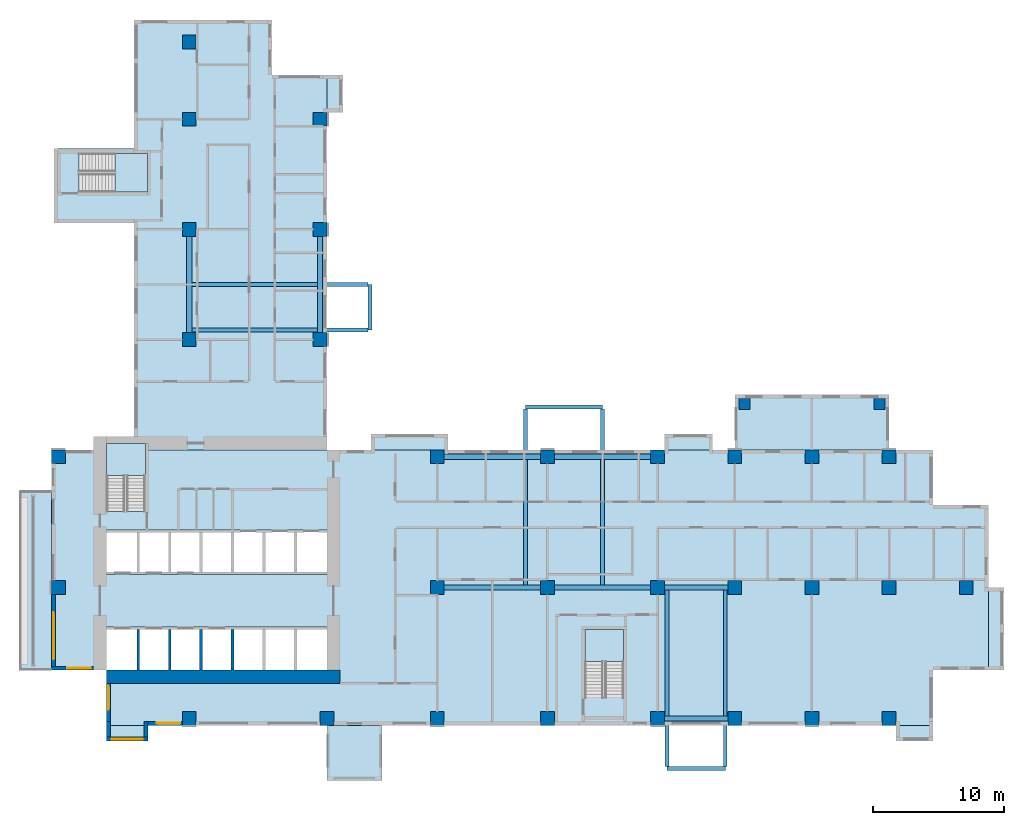
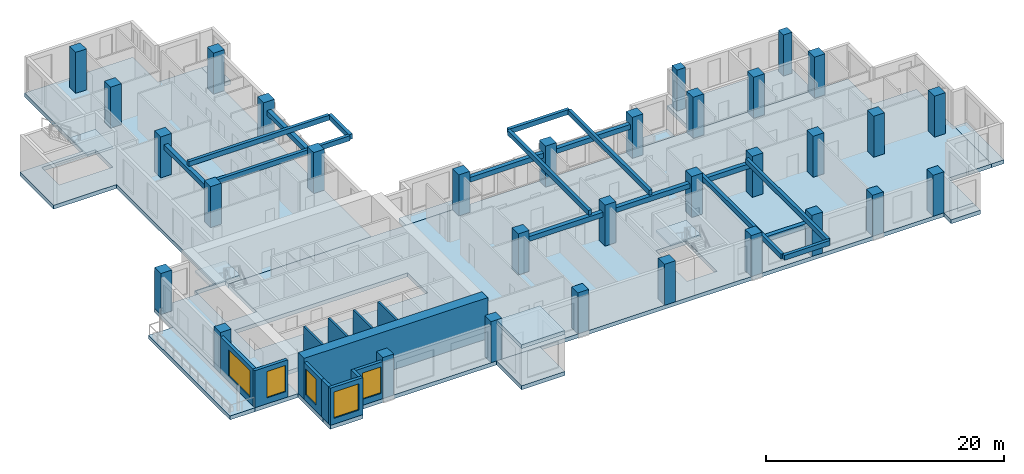
# One storey, part 1 of 14: 32 columns, 17 beams, 15 slabs, 12 walls, 5 windows, 5 openings, 3 elements without a shape of their own.
"""IFC4 building model written with IfcOpenShell, lengths in metres."""

import ifcopenshell
import ifcopenshell.guid

model = None  # the IFC model being written
_history = None  # IfcOwnerHistory: only IFC2X3 demands one
_inside = {}  # id of a spatial element -> (the spatial element, [elements in it])
_under = {}  # id of a project, library or spatial element -> (it, [spatial elements below it])
_declared = {}  # id of a project -> (the project, [libraries it declares])
_typed = {}  # id of a type object -> (the type object, [elements of that type])
_made_of = {}  # id of a material, layer set ... -> (it, [elements and type objects made of it])


def new_model(schema):
    """Start an empty IFC model of exactly this schema.

    Asked for "IFC4X3", IfcOpenShell would pick the latest addendum, in which some entities
    have other attributes; the version numbers below select the first issue.
    IFC2X3 requires an IfcOwnerHistory on every rooted entity: one is made here for all.
    """
    global model, _history
    if schema == "IFC4X3":
        model = ifcopenshell.file(schema_version=(4, 3, 0, 0))
    else:
        model = ifcopenshell.file(schema=schema)
    _inside.clear()
    _under.clear()
    _declared.clear()
    _typed.clear()
    _made_of.clear()
    _history = None
    if model.schema == "IFC2X3":
        org = make("IfcOrganization", Name="unknown")
        user = make(
            "IfcPersonAndOrganization",
            ThePerson=make("IfcPerson", FamilyName="unknown"),
            TheOrganization=org,
        )
        app = make(
            "IfcApplication",
            ApplicationDeveloper=org,
            Version="unknown",
            ApplicationFullName="unknown",
            ApplicationIdentifier="unknown",
        )
        _history = make(
            "IfcOwnerHistory",
            OwningUser=user,
            OwningApplication=app,
            ChangeAction="ADDED",
            CreationDate=0,
        )
    return model


def make(cls, **values):
    """One entity of the class cls with the attributes given. An attribute that is None is left unset."""
    return model.create_entity(
        cls, **{name: value for name, value in values.items() if value is not None}
    )


def rooted(cls, **values):
    """An entity with a GlobalId (a new one), such as an element, a storey or a relation."""
    return make(cls, GlobalId=ifcopenshell.guid.new(), OwnerHistory=_history, **values)


def si_unit(unit_type, name, prefix=None):
    """IfcSIUnit, for example si_unit("LENGTHUNIT", "METRE", prefix="MILLI")."""
    return make("IfcSIUnit", UnitType=unit_type, Prefix=prefix, Name=name)


def assignment(units):
    """IfcUnitAssignment: the units of a project."""
    return None if units is None else make("IfcUnitAssignment", Units=units)


def point(xyz):
    """IfcCartesianPoint."""
    return None if xyz is None else make("IfcCartesianPoint", Coordinates=xyz)


def direction(xyz):
    """IfcDirection."""
    return None if xyz is None else make("IfcDirection", DirectionRatios=xyz)


def frame(location, z_axis=None, x_axis=None):
    """IfcAxis2Placement3D, a coordinate frame: its origin and axes. An axis left out is left unset."""
    return make(
        "IfcAxis2Placement3D",
        Location=point(location),
        Axis=direction(z_axis),
        RefDirection=direction(x_axis),
    )


def frame_2d(location, x_axis=None):
    """IfcAxis2Placement2D, a coordinate frame in the plane: its origin and x axis."""
    return make(
        "IfcAxis2Placement2D", Location=point(location), RefDirection=direction(x_axis)
    )


def origin():
    """The frame at (0, 0, 0) with its axes left unset."""
    return frame((0.0, 0.0, 0.0))


def origin_2d():
    """The frame at (0, 0) in the plane with its x axis left unset."""
    return frame_2d((0.0, 0.0))


def place(relative_to, where):
    """IfcLocalPlacement: puts the frame where relative to a parent placement (None: the world)."""
    return make(
        "IfcLocalPlacement", PlacementRelTo=relative_to, RelativePlacement=where
    )


def context(
    kind, dimensions, precision=None, world=None, true_north=None, identifier=None
):
    """IfcGeometricRepresentationContext, for example the 3D "Model" context."""
    return make(
        "IfcGeometricRepresentationContext",
        ContextIdentifier=identifier,
        ContextType=kind,
        CoordinateSpaceDimension=dimensions,
        Precision=precision,
        WorldCoordinateSystem=world,
        TrueNorth=true_north,
    )


def subcontext(parent, identifier, kind, view, scale=None):
    """IfcGeometricRepresentationSubContext, for example "Body" below "Model"."""
    return make(
        "IfcGeometricRepresentationSubContext",
        ContextIdentifier=identifier,
        ContextType=kind,
        ParentContext=parent,
        TargetScale=scale,
        TargetView=view,
    )


def project(units=None, contexts=None):
    """IfcProject with its units and contexts."""
    return rooted(
        "IfcProject",
        Name="project",
        RepresentationContexts=contexts,
        UnitsInContext=assignment(units),
    )


def spatial(cls, under=None, at=None, **own):
    """A site, building, storey or space (cls), placed at a placement, below another one or the project."""
    s = rooted(cls, ObjectPlacement=at, **own)
    if under is not None:
        _under.setdefault(under.id(), (under, []))[1].append(s)
    return s


def polyline(points):
    """IfcPolyline through the points."""
    return make("IfcPolyline", Points=[point(p) for p in points])


def profile(cls, at=None, kind="AREA", **sizes):
    """A parametric profile (cls). Its sizes go by their IFC names, for example OverallWidth=200.0."""
    return make(cls, ProfileType=kind, Position=at, **sizes)


def rectangle(**sizes):
    """IfcRectangleProfileDef."""
    return profile("IfcRectangleProfileDef", **sizes)


def outline(outer, holes=None, kind="AREA"):
    """IfcArbitraryClosedProfileDef: a profile drawn as a closed curve; with holes, ...WithVoids."""
    if holes is None:
        return make("IfcArbitraryClosedProfileDef", ProfileType=kind, OuterCurve=outer)
    return make(
        "IfcArbitraryProfileDefWithVoids",
        ProfileType=kind,
        OuterCurve=outer,
        InnerCurves=holes,
    )


def extrude(swept, where, along, depth):
    """IfcExtrudedAreaSolid: the profile swept, set in the frame where, extruded along a direction by depth."""
    return make(
        "IfcExtrudedAreaSolid",
        SweptArea=swept,
        Position=where,
        ExtrudedDirection=direction(along),
        Depth=depth,
    )


def shape(context_of_items, identifier, shape_type, items):
    """IfcShapeRepresentation: the items that make up one representation, for example the "Body"."""
    return make(
        "IfcShapeRepresentation",
        ContextOfItems=context_of_items,
        RepresentationIdentifier=identifier,
        RepresentationType=shape_type,
        Items=items,
    )


def source(mapping_origin, context_of_items, identifier, shape_type, items):
    """IfcRepresentationMap: a shape defined once, which mapped items show again and again."""
    return make(
        "IfcRepresentationMap",
        MappingOrigin=mapping_origin,
        MappedRepresentation=shape(context_of_items, identifier, shape_type, items),
    )


def transform(
    local_origin,
    x_axis=None,
    y_axis=None,
    z_axis=None,
    scale=None,
    scale2=None,
    scale3=None,
    uniform=True,
):
    """IfcCartesianTransformationOperator3D, or its non-uniform kind. x_axis, y_axis, z_axis: its Axis1, 2, 3."""
    if uniform:
        return make(
            "IfcCartesianTransformationOperator3D",
            Axis1=direction(x_axis),
            Axis2=direction(y_axis),
            LocalOrigin=point(local_origin),
            Scale=scale,
            Axis3=direction(z_axis),
        )
    return make(
        "IfcCartesianTransformationOperator3DnonUniform",
        Axis1=direction(x_axis),
        Axis2=direction(y_axis),
        LocalOrigin=point(local_origin),
        Scale=scale,
        Axis3=direction(z_axis),
        Scale2=scale2,
        Scale3=scale3,
    )


def mapped(mapping_source, mapping_target):
    """IfcMappedItem: shows the shape of a source again, moved by a transform."""
    return make(
        "IfcMappedItem", MappingSource=mapping_source, MappingTarget=mapping_target
    )


def material(Name=None, Category=None):
    """IfcMaterial."""
    return make("IfcMaterial", Name=Name, Category=Category)


def layer(
    of_material, thickness, ventilated=None, Name=None, Category=None, Priority=None
):
    """IfcMaterialLayer: one layer of a wall or slab, of a material (None: an air gap)."""
    return make(
        "IfcMaterialLayer",
        Material=of_material,
        LayerThickness=thickness,
        IsVentilated=ventilated,
        Name=Name,
        Category=Category,
        Priority=Priority,
    )


def layer_set(layers, Name=None):
    """IfcMaterialLayerSet."""
    return make("IfcMaterialLayerSet", MaterialLayers=layers, LayerSetName=Name)


def material_profile(
    of_material, cross_section, Name=None, Category=None, Priority=None
):
    """IfcMaterialProfile: a cross section and its material."""
    return make(
        "IfcMaterialProfile",
        Name=Name,
        Material=of_material,
        Profile=cross_section,
        Priority=Priority,
        Category=Category,
    )


def profile_set(profiles, Name=None, composite=None):
    """IfcMaterialProfileSet."""
    return make(
        "IfcMaterialProfileSet",
        Name=Name,
        MaterialProfiles=profiles,
        CompositeProfile=composite,
    )


def made_of(thing, what):
    """Note that an element or type object is made of a material, layer set ...; save() writes the relation."""
    if what is not None:
        _made_of.setdefault(what.id(), (what, []))[1].append(thing)
    return thing


def type_object(cls, material=None, **own):
    """A type object (cls), such as IfcWallType, which elements share."""
    return made_of(rooted(cls, **own), material)


def element(
    cls,
    number,
    at=None,
    inside=None,
    cuts=None,
    type_object=None,
    material=None,
    context=None,
    identifier="Body",
    shape_type=None,
    held_by="IfcProductDefinitionShape",
    body=None,
    shapes=None,
    **own,
):
    """One element of the class cls, such as IfcWall. Its Tag is "e" and its number.

    at: its placement. inside: the storey or other place that contains it. cuts: it is an
    opening in that element (IfcRelVoidsElement). A single representation is given by context,
    identifier, shape_type and body (its items); several are given by shapes. held_by: the class
    of the entity that holds the representations. save() writes the other relations.
    """
    e = rooted(cls, Tag="e%d" % number, ObjectPlacement=at, **own)
    if body is not None:
        shapes = [shape(context, identifier, shape_type, body)]
    if shapes is not None:
        e.Representation = make(held_by, Representations=shapes)
    if inside is not None:
        _inside.setdefault(inside.id(), (inside, []))[1].append(e)
    if cuts is not None:
        rooted(
            "IfcRelVoidsElement", RelatingBuildingElement=cuts, RelatedOpeningElement=e
        )
    if type_object is not None:
        _typed.setdefault(type_object.id(), (type_object, []))[1].append(e)
    return made_of(e, material)


def fill(opening, filler):
    """IfcRelFillsElement: the door or window that sits in an opening."""
    return rooted(
        "IfcRelFillsElement",
        RelatingOpeningElement=opening,
        RelatedBuildingElement=filler,
    )


def aggregate(whole, parts):
    """IfcRelAggregates: a whole, such as a stair, and the parts it consists of."""
    return rooted("IfcRelAggregates", RelatingObject=whole, RelatedObjects=parts)


def save(model, path):
    """Write the relations noted so far, then the file.

    IfcRelAggregates (storeys below a building ...), IfcRelContainedInSpatialStructure (elements
    in a storey), IfcRelDefinesByType, IfcRelAssociatesMaterial and IfcRelDeclares: one each for
    every whole, place, type object, material and project.
    """
    for whole, parts in _under.values():
        aggregate(whole, parts)
    for where, things in _inside.values():
        rooted(
            "IfcRelContainedInSpatialStructure",
            RelatedElements=things,
            RelatingStructure=where,
        )
    for kind, things in _typed.values():
        rooted("IfcRelDefinesByType", RelatedObjects=things, RelatingType=kind)
    for what, things in _made_of.values():
        rooted("IfcRelAssociatesMaterial", RelatedObjects=things, RelatingMaterial=what)
    for by, libraries in _declared.values():
        rooted("IfcRelDeclares", RelatingContext=by, RelatedDefinitions=libraries)
    model.write(path)


model = new_model("IFC4")

# Units and contexts
model_context = context("Model", 3, precision=1e-05, world=origin(), true_north=direction((0.0, 1.0)))
body_context = subcontext(model_context, "Body", "Model", "MODEL_VIEW")
ifc_project = project(units=[si_unit("LENGTHUNIT", "METRE"), si_unit("AREAUNIT", "SQUARE_METRE"), si_unit("VOLUMEUNIT", "CUBIC_METRE"), si_unit("PLANEANGLEUNIT", "RADIAN"), si_unit("MASSUNIT", "GRAM", prefix="KILO")], contexts=[model_context])

# Site, building, storey
site_placement = place(None, origin())
site = spatial("IfcSite", under=ifc_project, at=site_placement, CompositionType="ELEMENT")
building_placement = place(site_placement, origin())
building = spatial("IfcBuilding", under=site, at=building_placement, Name="Aurelian Terraces", CompositionType="ELEMENT")
storey_placement = place(building_placement, frame((0.0, 0.0, 116.1)))
storey = spatial("IfcBuildingStorey", under=building, at=storey_placement, Name="L25", CompositionType="ELEMENT", Elevation=116.1)

# Columns
ifc_material_1 = material(Name="Concrete fc' 83 MPa", Category="concrete")
ifc_material_profile_1 = material_profile(ifc_material_1, rectangle(XDim=1.05, YDim=1.05, at=origin_2d()))
ifc_profile_set_1 = profile_set([ifc_material_profile_1], Name="Concrete fc' 83 MPa")
column_type_1 = type_object("IfcColumnType", Name="RC COLUMN 1050X1050 FC83", PredefinedType="COLUMN", material=ifc_profile_set_1)
shared_shape_1 = source(origin(), body_context, "Body", "SweptSolid", [
    extrude(rectangle(XDim=1.05, YDim=1.05, at=origin_2d()), origin(), (0.0, 0.0, 1.0), 4.2),
])
for number, where, z_axis, x_axis, name in (
    (1, (10.5, 0.525, 0.0), (0.0, 0.0, 1.0), (1.0, 0.0, 0.0), "Column 2/A L25"),
    (2, (21.0, 0.525, 0.0), (0.0, 0.0, 1.0), (1.0, 0.0, 0.0), "Column 3/A L25"),
    (3, (29.4, 0.525, 0.0), (0.0, 0.0, 1.0), (1.0, 0.0, 0.0), "Column 4/A L25"),
    (4, (37.8, 0.525, 0.0), (0.0, 0.0, 1.0), (1.0, 0.0, 0.0), "Column 5/A L25"),
    (5, (46.2, 0.525, 0.0), (0.0, 0.0, 1.0), (1.0, 0.0, 0.0), "Column 6/A L25"),
    (6, (52.08, 0.525, 0.0), (0.0, 0.0, 1.0), (1.0, 0.0, 0.0), "Column 7/A L25"),
    (7, (57.96, 0.525, 0.0), (0.0, 0.0, 1.0), (1.0, 0.0, 0.0), "Column 8/A L25"),
    (8, (63.84, 0.525, 0.0), (0.0, 0.0, 1.0), (1.0, 0.0, 0.0), "Column 9/A L25"),
    (9, (0.525, 10.5, 0.0), (0.0, 0.0, 1.0), (1.0, 0.0, 0.0), "Column 1/B L25"),
    (10, (29.4, 10.5, 0.0), (0.0, 0.0, 1.0), (1.0, 0.0, 0.0), "Column 4/B L25"),
    (11, (37.8, 10.5, 0.0), (0.0, 0.0, 1.0), (1.0, 0.0, 0.0), "Column 5/B L25"),
    (12, (46.2, 10.5, 0.0), (0.0, 0.0, 1.0), (1.0, 0.0, 0.0), "Column 6/B L25"),
    (13, (52.08, 10.5, 0.0), (0.0, 0.0, 1.0), (1.0, 0.0, 0.0), "Column 7/B L25"),
    (14, (57.96, 10.5, 0.0), (0.0, 0.0, 1.0), (1.0, 0.0, 0.0), "Column 8/B L25"),
    (15, (63.84, 10.5, 0.0), (0.0, 0.0, 1.0), (1.0, 0.0, 0.0), "Column 9/B L25"),
    (16, (69.72, 10.5, 0.0), (0.0, 0.0, 1.0), (1.0, 0.0, 0.0), "Column 10/B L25"),
    (17, (0.525, 20.475, 0.0), (0.0, 0.0, 1.0), (1.0, 0.0, 0.0), "Column 1/C L25"),
    (18, (29.4, 20.475, 0.0), (0.0, 0.0, 1.0), (1.0, 0.0, 0.0), "Column 4/C L25"),
    (19, (37.8, 20.475, 0.0), (0.0, 0.0, 1.0), (1.0, 0.0, 0.0), "Column 5/C L25"),
    (20, (46.2, 20.475, 0.0), (0.0, 0.0, 1.0), (1.0, 0.0, 0.0), "Column 6/C L25"),
    (21, (52.08, 20.475, 0.0), (0.0, 0.0, 1.0), (1.0, 0.0, 0.0), "Column 7/C L25"),
    (22, (57.96, 20.475, 0.0), (0.0, 0.0, 1.0), (1.0, 0.0, 0.0), "Column 8/C L25"),
    (23, (63.84, 20.475, 0.0), (0.0, 0.0, 1.0), (1.0, 0.0, 0.0), "Column 9/C L25"),
    (24, (10.5, 29.4, 0.0), (0.0, 0.0, 1.0), (1.0, 0.0, 0.0), "Column 2/D L25"),
    (25, (20.475, 29.4, 0.0), (0.0, 0.0, 1.0), (1.0, 0.0, 0.0), "Column 3/D L25"),
    (26, (10.5, 37.8, 0.0), (0.0, 0.0, 1.0), (1.0, 0.0, 0.0), "Column 2/E L25"),
    (27, (20.475, 37.8, 0.0), (0.0, 0.0, 1.0), (1.0, 0.0, 0.0), "Column 3/E L25"),
    (28, (10.5, 46.2, 0.0), (0.0, 0.0, 1.0), (1.0, 0.0, 0.0), "Column 2/F L25"),
    (29, (20.475, 46.2, 0.0), (0.0, 0.0, 1.0), (1.0, 0.0, 0.0), "Column 3/F L25"),
    (30, (10.5, 52.08, 0.0), (0.0, 0.0, 1.0), (1.0, 0.0, 0.0), "Column 2/G L25"),
):
    element("IfcColumn", number, at=place(storey_placement, frame(where, z_axis=z_axis, x_axis=x_axis)), inside=storey, type_object=column_type_1, Name=name, PredefinedType="COLUMN", context=body_context, shape_type="MappedRepresentation", body=[
        mapped(shared_shape_1, transform((0.0, 0.0, 0.0), scale=1.0)),
    ])
ifc_material_2 = material(Name="Concrete fc' 55 MPa", Category="concrete")
ifc_material_profile_2 = material_profile(ifc_material_2, rectangle(XDim=0.84, YDim=0.84, at=origin_2d()))
ifc_profile_set_2 = profile_set([ifc_material_profile_2], Name="Concrete fc' 55 MPa")
column_type_2 = type_object("IfcColumnType", Name="BLOCK CORNER PIER 840X840", PredefinedType="COLUMN", material=ifc_profile_set_2)
shared_shape_2 = source(origin(), body_context, "Body", "SweptSolid", [
    extrude(rectangle(XDim=0.84, YDim=0.84, at=origin_2d()), origin(), (0.0, 0.0, 1.0), 4.2),
])
for number, where, z_axis, x_axis, name in (
    (31, (52.805, 24.48, 0.0), (0.0, 0.0, 1.0), (1.0, 0.0, 0.0), "Block pier K02.1 L25"),
    (32, (63.115, 24.48, 0.0), (0.0, 0.0, 1.0), (1.0, 0.0, 0.0), "Block pier K02.2 L25"),
):
    element("IfcColumn", number, at=place(storey_placement, frame(where, z_axis=z_axis, x_axis=x_axis)), inside=storey, type_object=column_type_2, Name=name, PredefinedType="COLUMN", context=body_context, shape_type="MappedRepresentation", body=[
        mapped(shared_shape_2, transform((0.0, 0.0, 0.0), scale=1.0)),
    ])

# Beams
ifc_material_3 = material(Name="Concrete fc' 40 MPa", Category="concrete")
ifc_material_profile_3 = material_profile(ifc_material_3, rectangle(XDim=0.3, YDim=0.5, at=origin_2d()))
ifc_profile_set_3 = profile_set([ifc_material_profile_3], Name="Concrete fc' 40 MPa")
beam_type_1 = type_object("IfcBeamType", Name="CONCRETE CANTILEVER BEAM 300X500", PredefinedType="BEAM", material=ifc_profile_set_3)
shared_shape_3 = source(origin(), body_context, "Body", "SweptSolid", [
    extrude(rectangle(XDim=0.3, YDim=0.5, at=origin_2d()), origin(), (0.0, 0.0, 1.0), 5.88),
])
beam_1_placement = place(storey_placement, frame((36.12, 24.275, 3.55), z_axis=(1.0, 0.0, 0.0), x_axis=(0.0, 1.0, 0.0)))
element("IfcBeam", 33, at=beam_1_placement, inside=storey, type_object=beam_type_1, Name="Box tip beam J37", PredefinedType="BEAM", context=body_context, shape_type="MappedRepresentation", body=[
    mapped(shared_shape_3, transform((0.0, 0.0, 0.0), scale=1.0)),
])
ifc_material_profile_4 = material_profile(ifc_material_3, rectangle(XDim=0.4, YDim=0.5, at=origin_2d()))
ifc_profile_set_4 = profile_set([ifc_material_profile_4], Name="Concrete fc' 40 MPa")
beam_type_2 = type_object("IfcBeamType", Name="CONCRETE EDGE GIRDER 400X500", PredefinedType="BEAM", material=ifc_profile_set_4)
shared_shape_4 = source(origin(), body_context, "Body", "SweptSolid", [
    extrude(rectangle(XDim=0.4, YDim=0.5, at=origin_2d()), origin(), (0.0, 0.0, 1.0), 4.83),
])
for number, where, z_axis, x_axis, name in (
    (34, (46.725, 0.525, 3.05), (1.0, 0.0, 0.0), (0.0, 1.0, 0.0), "Box girder L25 O73"),
    (35, (46.725, 10.5, 3.05), (1.0, 0.0, 0.0), (0.0, 1.0, 0.0), "Box girder L25 I74"),
):
    element("IfcBeam", number, at=place(storey_placement, frame(where, z_axis=z_axis, x_axis=x_axis)), inside=storey, type_object=beam_type_2, Name=name, PredefinedType="BEAM", context=body_context, shape_type="MappedRepresentation", body=[
        mapped(shared_shape_4, transform((0.0, 0.0, 0.0), scale=1.0)),
    ])
shared_shape_5 = source(origin(), body_context, "Body", "SweptSolid", [
    extrude(rectangle(XDim=0.3, YDim=0.5, at=origin_2d()), origin(), (0.0, 0.0, 1.0), 13.625),
])
for number, where, z_axis, x_axis, name in (
    (36, (46.925, -3.125, 3.55), (0.0, 1.0, 0.0), (-1.0, 0.0, 0.0), "Box cantilever beam J36.1"),
    (37, (51.355, -3.125, 3.55), (0.0, 1.0, 0.0), (-1.0, 0.0, 0.0), "Box cantilever beam J36.2"),
    (38, (36.12, 24.125, 3.55), (0.0, -1.0, 0.0), (1.0, 0.0, 0.0), "Box cantilever beam J37.1"),
    (39, (42.0, 24.125, 3.55), (0.0, -1.0, 0.0), (1.0, 0.0, 0.0), "Box cantilever beam J37.2"),
    (40, (24.125, 30.125, 3.55), (-1.0, 0.0, 0.0), (0.0, -1.0, 0.0), "Box cantilever beam J38.1"),
    (41, (24.125, 33.6, 3.55), (-1.0, 0.0, 0.0), (0.0, -1.0, 0.0), "Box cantilever beam J38.2"),
):
    element("IfcBeam", number, at=place(storey_placement, frame(where, z_axis=z_axis, x_axis=x_axis)), inside=storey, type_object=beam_type_1, Name=name, PredefinedType="BEAM", context=body_context, shape_type="MappedRepresentation", body=[
        mapped(shared_shape_5, transform((0.0, 0.0, 0.0), scale=1.0)),
    ])
shared_shape_6 = source(origin(), body_context, "Body", "SweptSolid", [
    extrude(rectangle(XDim=0.4, YDim=0.5, at=origin_2d()), origin(), (0.0, 0.0, 1.0), 7.35),
])
for number, where, z_axis, x_axis, name in (
    (42, (29.925, 20.475, 3.05), (1.0, 0.0, 0.0), (0.0, 1.0, 0.0), "Box girder L25 O75"),
    (43, (38.325, 20.475, 3.05), (1.0, 0.0, 0.0), (0.0, 1.0, 0.0), "Box girder L25 O76"),
    (44, (29.925, 10.5, 3.05), (1.0, 0.0, 0.0), (0.0, 1.0, 0.0), "Box girder L25 I77"),
    (45, (38.325, 10.5, 3.05), (1.0, 0.0, 0.0), (0.0, 1.0, 0.0), "Box girder L25 I78"),
    (46, (20.475, 29.925, 3.05), (0.0, 1.0, 0.0), (-1.0, 0.0, 0.0), "Box girder L25 O79"),
    (47, (10.5, 29.925, 3.05), (0.0, 1.0, 0.0), (-1.0, 0.0, 0.0), "Box girder L25 I80"),
):
    element("IfcBeam", number, at=place(storey_placement, frame(where, z_axis=z_axis, x_axis=x_axis)), inside=storey, type_object=beam_type_2, Name=name, PredefinedType="BEAM", context=body_context, shape_type="MappedRepresentation", body=[
        mapped(shared_shape_6, transform((0.0, 0.0, 0.0), scale=1.0)),
    ])
shared_shape_7 = source(origin(), body_context, "Body", "SweptSolid", [
    extrude(rectangle(XDim=0.3, YDim=0.5, at=origin_2d()), origin(), (0.0, 0.0, 1.0), 3.475),
])
beam_2_placement = place(storey_placement, frame((24.275, 30.125, 3.55), z_axis=(0.0, 1.0, 0.0), x_axis=(-1.0, 0.0, 0.0)))
element("IfcBeam", 48, at=beam_2_placement, inside=storey, type_object=beam_type_1, Name="Box tip beam J38", PredefinedType="BEAM", context=body_context, shape_type="MappedRepresentation", body=[
    mapped(shared_shape_7, transform((0.0, 0.0, 0.0), scale=1.0)),
])
shared_shape_8 = source(origin(), body_context, "Body", "SweptSolid", [
    extrude(rectangle(XDim=0.3, YDim=0.5, at=origin_2d()), origin(), (0.0, 0.0, 1.0), 4.43),
])
beam_3_placement = place(storey_placement, frame((46.925, -3.275, 3.55), z_axis=(1.0, 0.0, 0.0), x_axis=(0.0, 1.0, 0.0)))
element("IfcBeam", 49, at=beam_3_placement, inside=storey, type_object=beam_type_1, Name="Box tip beam J36", PredefinedType="BEAM", context=body_context, shape_type="MappedRepresentation", body=[
    mapped(shared_shape_8, transform((0.0, 0.0, 0.0), scale=1.0)),
])

# Slabs
ifc_layer_1 = layer(ifc_material_3, 0.4)
ifc_layer_set_1 = layer_set([ifc_layer_1], Name="Bay floor 400")
slab_type_1 = type_object("IfcSlabType", Name="Bay floor 400", PredefinedType="NOTDEFINED", material=ifc_layer_set_1)
slab_1_placement = place(storey_placement, frame((0.0, 0.0, -0.4)))
element("IfcSlab", 50, at=slab_1_placement, inside=storey, type_object=slab_type_1, Name="Bay floor L25 F07.19", PredefinedType="NOTDEFINED", context=body_context, shape_type="SweptSolid", body=[
    extrude(outline(polyline([(50.4, 21.0), (46.725, 21.0), (46.725, 22.2), (50.4, 22.2), (50.4, 21.0)])), origin(), (0.0, 0.0, 1.0), 0.4),
])
slab_2_placement = place(storey_placement, frame((0.0, 0.0, -0.4)))
element("IfcSlab", 51, at=slab_2_placement, inside=storey, type_object=slab_type_1, Name="Bay floor L25 F08.26", PredefinedType="NOTDEFINED", context=body_context, shape_type="SweptSolid", body=[
    extrude(outline(polyline([(21.0, 46.725), (21.0, 49.56), (22.2, 49.56), (22.2, 46.725), (21.0, 46.725)])), origin(), (0.0, 0.0, 1.0), 0.4),
])
ifc_layer_2 = layer(ifc_material_3, 0.4)
ifc_layer_set_2 = layer_set([ifc_layer_2], Name="Box roof 400")
slab_type_2 = type_object("IfcSlabType", Name="Box roof 400", PredefinedType="ROOF", material=ifc_layer_set_2)
slab_3_placement = place(storey_placement, frame((0.0, 0.0, 3.8)))
element("IfcSlab", 52, at=slab_3_placement, inside=storey, type_object=slab_type_2, Name="Box roof J35", PredefinedType="ROOF", context=body_context, shape_type="SweptSolid", body=[
    extrude(outline(polyline([(21.0, -4.2), (25.2, -4.2), (25.2, 0.0), (21.0, 0.0), (21.0, -4.2)])), origin(), (0.0, 0.0, 1.0), 0.4),
])
ifc_layer_3 = layer(ifc_material_3, 0.4)
ifc_layer_set_3 = layer_set([ifc_layer_3], Name="PT FLAT PLATE 400")
slab_type_3 = type_object("IfcSlabType", Name="PT FLAT PLATE 400", PredefinedType="FLOOR", material=ifc_layer_set_3)
shared_shape_9 = source(origin(), body_context, "Body", "SweptSolid", [
    extrude(outline(polyline([(67.2, 16.8), (71.4, 16.8), (71.4, 4.2), (67.2, 4.2), (67.2, 0.0), (21.0, 0.0), (4.2, 0.0), (4.2, 4.2), (0.0, 4.2), (0.0, 21.0), (4.21, 21.0), (4.21, 16.31), (7.14, 16.31), (7.14, 21.0), (21.0, 21.0), (67.2, 21.0), (67.2, 16.8)]), holes=[polyline([(40.66, 2.11), (43.59, 2.11), (43.59, 7.29), (40.66, 7.29), (40.66, 2.11)]), polyline([(4.21, 7.49), (4.21, 4.21), (20.99, 4.21), (20.99, 7.49), (4.21, 7.49)]), polyline([(4.21, 14.89), (4.21, 11.51), (20.99, 11.51), (20.99, 14.89), (4.21, 14.89)])]), origin(), (0.0, 0.0, 1.0), 0.4),
])
slab_4_placement = place(storey_placement, frame((0.0, 0.0, -0.4)))
element("IfcSlab", 53, at=slab_4_placement, inside=storey, type_object=slab_type_3, Name="Floor slab S L25", PredefinedType="FLOOR", context=body_context, shape_type="MappedRepresentation", body=[
    mapped(shared_shape_9, transform((0.0, 0.0, 0.0), scale=1.0)),
])
shared_shape_10 = source(origin(), body_context, "Body", "SweptSolid", [
    extrude(outline(polyline([(0.2, 43.95), (6.3, 43.95), (6.3, 49.56), (6.3, 53.76), (10.5, 53.76), (16.8, 53.76), (16.8, 49.56), (21.0, 49.56), (21.0, 21.0), (7.14, 21.0), (7.14, 21.49), (4.21, 21.49), (4.21, 21.0), (4.2, 21.0), (4.2, 21.6), (6.3, 21.6), (6.3, 38.3), (0.2, 38.3), (0.2, 43.95)]), holes=[polyline([(7.29, 43.59), (2.11, 43.59), (2.11, 40.66), (7.29, 40.66), (7.29, 43.59)])]), origin(), (0.0, 0.0, 1.0), 0.4),
])
slab_5_placement = place(storey_placement, frame((0.0, 0.0, -0.4)))
element("IfcSlab", 54, at=slab_5_placement, inside=storey, type_object=slab_type_3, Name="Floor slab W L25", PredefinedType="FLOOR", context=body_context, shape_type="MappedRepresentation", body=[
    mapped(shared_shape_10, transform((0.0, 0.0, 0.0), scale=1.0)),
])
shared_shape_11 = source(origin(), body_context, "Body", "SweptSolid", [
    extrude(outline(polyline([(4.2, 0.0), (7.35, 0.0), (7.35, -1.2), (4.2, -1.2), (4.2, 0.0)])), origin(), (0.0, 0.0, 1.0), 0.4),
])
slab_6_placement = place(storey_placement, frame((0.0, 0.0, -0.4)))
element("IfcSlab", 55, at=slab_6_placement, inside=storey, type_object=slab_type_1, Name="Bay floor L25 F01.1", PredefinedType="NOTDEFINED", context=body_context, shape_type="MappedRepresentation", body=[
    mapped(shared_shape_11, transform((0.0, 0.0, 0.0), scale=1.0)),
])
shared_shape_12 = source(origin(), body_context, "Body", "SweptSolid", [
    extrude(outline(polyline([(71.4, 4.2), (71.4, 10.5), (72.6, 10.5), (72.6, 4.2), (71.4, 4.2)])), origin(), (0.0, 0.0, 1.0), 0.4),
])
slab_7_placement = place(storey_placement, frame((0.0, 0.0, -0.4)))
element("IfcSlab", 56, at=slab_7_placement, inside=storey, type_object=slab_type_1, Name="Bay floor L25 F04.14", PredefinedType="NOTDEFINED", context=body_context, shape_type="MappedRepresentation", body=[
    mapped(shared_shape_12, transform((0.0, 0.0, 0.0), scale=1.0)),
])
ifc_layer_4 = layer(ifc_material_3, 0.4)
ifc_layer_set_4 = layer_set([ifc_layer_4], Name="Balcony slab 400")
slab_type_4 = type_object("IfcSlabType", Name="Balcony slab 400", PredefinedType="NOTDEFINED", material=ifc_layer_set_4)
shared_shape_13 = source(origin(), body_context, "Body", "SweptSolid", [
    extrude(outline(polyline([(0.0, 17.85), (0.0, 4.2), (-2.4, 4.2), (-2.4, 17.85), (0.0, 17.85)])), origin(), (0.0, 0.0, 1.0), 0.4),
])
slab_8_placement = place(storey_placement, frame((0.0, 0.0, -0.4)))
element("IfcSlab", 57, at=slab_8_placement, inside=storey, type_object=slab_type_4, Name="Balcony slab L25 F20.40", PredefinedType="NOTDEFINED", context=body_context, shape_type="MappedRepresentation", body=[
    mapped(shared_shape_13, transform((0.0, 0.0, 0.0), scale=1.0)),
])
ifc_layer_5 = layer(ifc_material_3, 0.41)
ifc_layer_set_5 = layer_set([ifc_layer_5], Name="Box floor 410")
slab_type_5 = type_object("IfcSlabType", Name="Box floor 410", PredefinedType="NOTDEFINED", material=ifc_layer_set_5)
shared_shape_14 = source(origin(), body_context, "Body", "SweptSolid", [
    extrude(outline(polyline([(21.0, -4.2), (25.2, -4.2), (25.2, 0.0), (21.0, 0.0), (21.0, -4.2)])), origin(), (0.0, 0.0, 1.0), 0.41),
])
slab_9_placement = place(storey_placement, frame((0.0, 0.0, -0.41)))
element("IfcSlab", 58, at=slab_9_placement, inside=storey, type_object=slab_type_5, Name="Box floor L25 J35", PredefinedType="NOTDEFINED", context=body_context, shape_type="MappedRepresentation", body=[
    mapped(shared_shape_14, transform((0.0, 0.0, 0.0), scale=1.0)),
])
shared_shape_15 = source(origin(), body_context, "Body", "SweptSolid", [
    extrude(outline(polyline([(63.84, 25.2), (52.08, 25.2), (52.08, 21.0), (63.84, 21.0), (63.84, 25.2)])), origin(), (0.0, 0.0, 1.0), 0.41),
])
slab_10_placement = place(storey_placement, frame((0.0, 0.0, -0.41)))
element("IfcSlab", 59, at=slab_10_placement, inside=storey, type_object=slab_type_5, Name="Box floor L25 K02", PredefinedType="NOTDEFINED", context=body_context, shape_type="MappedRepresentation", body=[
    mapped(shared_shape_15, transform((0.0, 0.0, 0.0), scale=1.0)),
])
shared_shape_16 = source(origin(), body_context, "Body", "SweptSolid", [
    extrude(outline(polyline([(64.365, 0.0), (67.2, 0.0), (67.2, -1.2), (64.365, -1.2), (64.365, 0.0)])), origin(), (0.0, 0.0, 1.0), 0.4),
])
slab_11_placement = place(storey_placement, frame((0.0, 0.0, -0.4)))
element("IfcSlab", 60, at=slab_11_placement, inside=storey, type_object=slab_type_1, Name="Bay floor L25 F01.10", PredefinedType="NOTDEFINED", context=body_context, shape_type="MappedRepresentation", body=[
    mapped(shared_shape_16, transform((0.0, 0.0, 0.0), scale=1.0)),
])
shared_shape_17 = source(origin(), body_context, "Body", "SweptSolid", [
    extrude(outline(polyline([(30.24, 21.0), (24.36, 21.0), (24.36, 22.2), (30.24, 22.2), (30.24, 21.0)])), origin(), (0.0, 0.0, 1.0), 0.4),
])
slab_12_placement = place(storey_placement, frame((0.0, 0.0, -0.4)))
element("IfcSlab", 61, at=slab_12_placement, inside=storey, type_object=slab_type_1, Name="Bay floor L25 F07.21", PredefinedType="NOTDEFINED", context=body_context, shape_type="MappedRepresentation", body=[
    mapped(shared_shape_17, transform((0.0, 0.0, 0.0), scale=1.0)),
])

# Stair, slab
stair_type = type_object("IfcStairType", Name="Stair 1400", PredefinedType="HALF_TURN_STAIR", material=ifc_material_3)
stair_1_placement = place(storey_placement, origin())
stair_1 = element("IfcStair", 62, at=stair_1_placement, inside=storey, type_object=stair_type, Name="L25 S1", PredefinedType="HALF_TURN_STAIR")
ifc_layer_6 = layer(ifc_material_3, 0.2)
ifc_layer_set_6 = layer_set([ifc_layer_6], Name="Stair landing 200")
slab_type_6 = type_object("IfcSlabType", Name="Stair landing 200", PredefinedType="LANDING", material=ifc_layer_set_6)
shared_shape_18 = source(origin(), body_context, "Body", "SweptSolid", [
    extrude(outline(polyline([(7.15, 19.05), (7.15, 21.5), (4.2, 21.5), (4.2, 19.05), (7.15, 19.05)])), origin(), (0.0, 0.0, 1.0), 0.2),
])
slab_13_placement = place(storey_placement, frame((0.0, 0.0, 1.9)))
slab_13 = element("IfcSlab", 63, at=slab_13_placement, type_object=slab_type_6, Name="S1 landing 1", PredefinedType="LANDING", context=body_context, shape_type="MappedRepresentation", body=[
    mapped(shared_shape_18, transform((0.0, 0.0, 0.0), scale=1.0)),
])
aggregate(stair_1, [slab_13])

stair_2_placement = place(storey_placement, origin())
stair_2 = element("IfcStair", 64, at=stair_2_placement, inside=storey, type_object=stair_type, Name="L25 S2", PredefinedType="HALF_TURN_STAIR")
shared_shape_19 = source(origin(), body_context, "Body", "SweptSolid", [
    extrude(outline(polyline([(43.6, 4.85), (43.6, 7.3), (40.65, 7.3), (40.65, 4.85), (43.6, 4.85)])), origin(), (0.0, 0.0, 1.0), 0.2),
])
slab_14_placement = place(storey_placement, frame((0.0, 0.0, 1.9)))
slab_14 = element("IfcSlab", 65, at=slab_14_placement, type_object=slab_type_6, Name="S2 landing 1", PredefinedType="LANDING", context=body_context, shape_type="MappedRepresentation", body=[
    mapped(shared_shape_19, transform((0.0, 0.0, 0.0), scale=1.0)),
])
aggregate(stair_2, [slab_14])

stair_3_placement = place(storey_placement, origin())
stair_3 = element("IfcStair", 66, at=stair_3_placement, inside=storey, type_object=stair_type, Name="L25 S3", PredefinedType="HALF_TURN_STAIR")
shared_shape_20 = source(origin(), body_context, "Body", "SweptSolid", [
    extrude(outline(polyline([(4.85, 40.65), (7.3, 40.65), (7.3, 43.6), (4.85, 43.6), (4.85, 40.65)])), origin(), (0.0, 0.0, 1.0), 0.2),
])
slab_15_placement = place(storey_placement, frame((0.0, 0.0, 1.9)))
slab_15 = element("IfcSlab", 67, at=slab_15_placement, type_object=slab_type_6, Name="S3 landing 1", PredefinedType="LANDING", context=body_context, shape_type="MappedRepresentation", body=[
    mapped(shared_shape_20, transform((0.0, 0.0, 0.0), scale=1.0)),
])
aggregate(stair_3, [slab_15])

# Wall
ifc_layer_7 = layer(ifc_material_1, 1.0)
ifc_layer_set_7 = layer_set([ifc_layer_7], Name="CORE WALL 1000 FC83")
wall_type_1 = type_object("IfcWallType", Name="CORE WALL 1000 FC83", PredefinedType="SHEAR", material=ifc_layer_set_7)
shared_shape_21 = source(origin(), body_context, "Body", "SweptSolid", [
    extrude(rectangle(XDim=17.8, YDim=1.0, at=frame_2d((8.9, 0.0))), origin(), (0.0, 0.0, 1.0), 4.2),
])
wall_1_placement = place(storey_placement, frame((4.2, 3.7, 0.0), z_axis=(0.0, 0.0, 1.0), x_axis=(1.0, 0.0, 0.0)))
element("IfcWall", 68, at=wall_1_placement, inside=storey, type_object=wall_type_1, Name="Core wall S L25", PredefinedType="SHEAR", context=body_context, shape_type="MappedRepresentation", body=[
    mapped(shared_shape_21, transform((0.0, 0.0, 0.0), scale=1.0)),
])

# Wall, opening, window
ifc_material_4 = material(Name="Terracotta rainscreen cladding", Category="masonry")
ifc_layer_8 = layer(ifc_material_4, 0.3)
ifc_layer_set_8 = layer_set([ifc_layer_8], Name="EW-300")
wall_type_2 = type_object("IfcWallType", Name="EW-300", PredefinedType="STANDARD", material=ifc_layer_set_8)
shared_shape_22 = source(origin(), body_context, "Body", "SweptSolid", [
    extrude(rectangle(XDim=3.15, YDim=0.3, at=frame_2d((1.575, 0.0))), origin(), (0.0, 0.0, 1.0), 3.8),
])
wall_2_placement = place(storey_placement, frame((4.2, -1.05, 0.0), z_axis=(0.0, 0.0, 1.0), x_axis=(1.0, 0.0, 0.0)))
wall_2 = element("IfcWall", 69, at=wall_2_placement, inside=storey, type_object=wall_type_2, Name="Bay wall L25 F01.1", PredefinedType="STANDARD", context=body_context, shape_type="MappedRepresentation", body=[
    mapped(shared_shape_22, transform((0.0, 0.0, 0.0), scale=1.0)),
])
shared_shape_23 = source(origin(), body_context, "Body", "SweptSolid", [
    extrude(rectangle(XDim=2.4, YDim=2.7, at=frame_2d((1.2, 1.35))), frame((0.0, 0.16, 0.0), z_axis=(0.0, -1.0, 0.0), x_axis=(1.0, 0.0, 0.0)), (0.0, 0.0, 1.0), 0.32),
])
opening_1_placement = place(wall_2_placement, frame((0.375, 0.0, 0.6)))
opening_1 = element("IfcOpeningElement", 70, at=opening_1_placement, cuts=wall_2, Name="Opening W2427", PredefinedType="OPENING", context=body_context, shape_type="MappedRepresentation", body=[
    mapped(shared_shape_23, transform((0.0, 0.0, 0.0), scale=1.0)),
])
ifc_material_5 = material(Name="Clear glazing", Category="glass")
window_type_1 = type_object("IfcWindowType", Name="W-2400x2700", PartitioningType="SINGLE_PANEL", PredefinedType="WINDOW", material=ifc_material_5)
shared_shape_24 = source(origin(), body_context, "Body", "SweptSolid", [
    extrude(rectangle(XDim=2.4, YDim=2.7, at=frame_2d((1.2, 1.35))), frame((0.0, 0.03, 0.0), z_axis=(0.0, -1.0, 0.0), x_axis=(1.0, 0.0, 0.0)), (0.0, 0.0, 1.0), 0.06),
])
window_1_placement = place(opening_1_placement, origin())
window_1 = element("IfcWindow", 71, at=window_1_placement, inside=storey, type_object=window_type_1, Name="Window L25 L25-F01-01-0", OverallHeight=2.7, OverallWidth=2.4, PartitioningType="SINGLE_PANEL", PredefinedType="WINDOW", context=body_context, shape_type="MappedRepresentation", body=[
    mapped(shared_shape_24, transform((0.0, 0.0, 0.0), scale=1.0)),
])
fill(opening_1, window_1)

# Walls
shared_shape_25 = source(origin(), body_context, "Body", "SweptSolid", [
    extrude(rectangle(XDim=1.2, YDim=0.3, at=frame_2d((0.6, 0.0))), origin(), (0.0, 0.0, 1.0), 3.8),
])
for number, where, z_axis, x_axis, name in (
    (72, (4.35, 0.3, 0.0), (0.0, 0.0, 1.0), (0.0, -1.0, 0.0), "Bay return L25 F01.1.1"),
    (73, (7.2, 0.3, 0.0), (0.0, 0.0, 1.0), (0.0, -1.0, 0.0), "Bay return L25 F01.1.2"),
):
    element("IfcWall", number, at=place(storey_placement, frame(where, z_axis=z_axis, x_axis=x_axis)), inside=storey, type_object=wall_type_2, Name=name, PredefinedType="STANDARD", context=body_context, shape_type="MappedRepresentation", body=[
        mapped(shared_shape_25, transform((0.0, 0.0, 0.0), scale=1.0)),
    ])

# Wall, opening, window
shared_shape_26 = source(origin(), body_context, "Body", "SweptSolid", [
    extrude(rectangle(XDim=3.2, YDim=0.3, at=frame_2d((1.6, 0.0))), origin(), (0.0, 0.0, 1.0), 3.8),
])
wall_3_placement = place(storey_placement, frame((0.0, 4.35, 0.0), z_axis=(0.0, 0.0, 1.0), x_axis=(1.0, 0.0, 0.0)))
wall_3 = element("IfcWall", 74, at=wall_3_placement, inside=storey, type_object=wall_type_2, Name="External wall L25 F21.41", PredefinedType="STANDARD", context=body_context, shape_type="MappedRepresentation", body=[
    mapped(shared_shape_26, transform((0.0, 0.0, 0.0), scale=1.0)),
])
shared_shape_27 = source(origin(), body_context, "Body", "SweptSolid", [
    extrude(rectangle(XDim=1.8, YDim=2.7, at=frame_2d((0.9, 1.35))), frame((0.0, 0.16, 0.0), z_axis=(0.0, -1.0, 0.0), x_axis=(1.0, 0.0, 0.0)), (0.0, 0.0, 1.0), 0.32),
])
opening_2_placement = place(wall_3_placement, frame((1.2, 0.0, 0.6)))
opening_2 = element("IfcOpeningElement", 75, at=opening_2_placement, cuts=wall_3, Name="Opening W1827", PredefinedType="OPENING", context=body_context, shape_type="MappedRepresentation", body=[
    mapped(shared_shape_27, transform((0.0, 0.0, 0.0), scale=1.0)),
])
window_type_2 = type_object("IfcWindowType", Name="W-1800x2700", PartitioningType="SINGLE_PANEL", PredefinedType="WINDOW", material=ifc_material_5)
shared_shape_28 = source(origin(), body_context, "Body", "SweptSolid", [
    extrude(rectangle(XDim=1.8, YDim=2.7, at=frame_2d((0.9, 1.35))), frame((0.0, 0.03, 0.0), z_axis=(0.0, -1.0, 0.0), x_axis=(1.0, 0.0, 0.0)), (0.0, 0.0, 1.0), 0.06),
])
window_2_placement = place(opening_2_placement, origin())
window_2 = element("IfcWindow", 76, at=window_2_placement, inside=storey, type_object=window_type_2, Name="Window L25 L25-F21-41-0", OverallHeight=2.7, OverallWidth=1.8, PartitioningType="SINGLE_PANEL", PredefinedType="WINDOW", context=body_context, shape_type="MappedRepresentation", body=[
    mapped(shared_shape_28, transform((0.0, 0.0, 0.0), scale=1.0)),
])
fill(opening_2, window_2)

wall_4_placement = place(storey_placement, frame((4.35, 3.2, 0.0), z_axis=(0.0, 0.0, 1.0), x_axis=(0.0, -1.0, 0.0)))
wall_4 = element("IfcWall", 77, at=wall_4_placement, inside=storey, type_object=wall_type_2, Name="External wall L25 F22.42", PredefinedType="STANDARD", context=body_context, shape_type="MappedRepresentation", body=[
    mapped(shared_shape_26, transform((0.0, 0.0, 0.0), scale=1.0)),
])
opening_3_placement = place(wall_4_placement, frame((0.2, 0.0, 0.6)))
opening_3 = element("IfcOpeningElement", 78, at=opening_3_placement, cuts=wall_4, Name="Opening W1827", PredefinedType="OPENING", context=body_context, shape_type="MappedRepresentation", body=[
    mapped(shared_shape_27, transform((0.0, 0.0, 0.0), scale=1.0)),
])
window_3_placement = place(opening_3_placement, origin())
window_3 = element("IfcWindow", 79, at=window_3_placement, inside=storey, type_object=window_type_2, Name="Window L25 L25-F22-42-0", OverallHeight=2.7, OverallWidth=1.8, PartitioningType="SINGLE_PANEL", PredefinedType="WINDOW", context=body_context, shape_type="MappedRepresentation", body=[
    mapped(shared_shape_28, transform((0.0, 0.0, 0.0), scale=1.0)),
])
fill(opening_3, window_3)

shared_shape_29 = source(origin(), body_context, "Body", "SweptSolid", [
    extrude(rectangle(XDim=2.625, YDim=0.3, at=frame_2d((1.3125, 0.0))), origin(), (0.0, 0.0, 1.0), 3.8),
])
wall_5_placement = place(storey_placement, frame((7.35, 0.15, 0.0), z_axis=(0.0, 0.0, 1.0), x_axis=(1.0, 0.0, 0.0)))
wall_5 = element("IfcWall", 80, at=wall_5_placement, inside=storey, type_object=wall_type_2, Name="External wall L25 F01.2", PredefinedType="STANDARD", context=body_context, shape_type="MappedRepresentation", body=[
    mapped(shared_shape_29, transform((0.0, 0.0, 0.0), scale=1.0)),
])
opening_4_placement = place(wall_5_placement, frame((0.675, 0.0, 0.6)))
opening_4 = element("IfcOpeningElement", 81, at=opening_4_placement, cuts=wall_5, Name="Opening W1827", PredefinedType="OPENING", context=body_context, shape_type="MappedRepresentation", body=[
    mapped(shared_shape_27, transform((0.0, 0.0, 0.0), scale=1.0)),
])
window_4_placement = place(opening_4_placement, origin())
window_4 = element("IfcWindow", 82, at=window_4_placement, inside=storey, type_object=window_type_2, Name="Window L25 L25-F01-02-0", OverallHeight=2.7, OverallWidth=1.8, PartitioningType="SINGLE_PANEL", PredefinedType="WINDOW", context=body_context, shape_type="MappedRepresentation", body=[
    mapped(shared_shape_28, transform((0.0, 0.0, 0.0), scale=1.0)),
])
fill(opening_4, window_4)

shared_shape_30 = source(origin(), body_context, "Body", "SweptSolid", [
    extrude(rectangle(XDim=5.775, YDim=0.3, at=frame_2d((2.8875, 0.0))), origin(), (0.0, 0.0, 1.0), 3.8),
])
wall_6_placement = place(storey_placement, frame((0.15, 9.975, 0.0), z_axis=(0.0, 0.0, 1.0), x_axis=(0.0, -1.0, 0.0)))
wall_6 = element("IfcWall", 83, at=wall_6_placement, inside=storey, type_object=wall_type_2, Name="External wall L25 F20.40", PredefinedType="STANDARD", context=body_context, shape_type="MappedRepresentation", body=[
    mapped(shared_shape_30, transform((0.0, 0.0, 0.0), scale=1.0)),
])
shared_shape_31 = source(origin(), body_context, "Body", "SweptSolid", [
    extrude(rectangle(XDim=3.6, YDim=2.7, at=frame_2d((1.8, 1.35))), frame((0.0, 0.16, 0.0), z_axis=(0.0, -1.0, 0.0), x_axis=(1.0, 0.0, 0.0)), (0.0, 0.0, 1.0), 0.32),
])
opening_5_placement = place(wall_6_placement, frame((1.35, 0.0, 0.6)))
opening_5 = element("IfcOpeningElement", 84, at=opening_5_placement, cuts=wall_6, Name="Opening W3627", PredefinedType="OPENING", context=body_context, shape_type="MappedRepresentation", body=[
    mapped(shared_shape_31, transform((0.0, 0.0, 0.0), scale=1.0)),
])
window_type_3 = type_object("IfcWindowType", Name="W-3600x2700", PartitioningType="SINGLE_PANEL", PredefinedType="WINDOW", material=ifc_material_5)
shared_shape_32 = source(origin(), body_context, "Body", "SweptSolid", [
    extrude(rectangle(XDim=3.6, YDim=2.7, at=frame_2d((1.8, 1.35))), frame((0.0, 0.03, 0.0), z_axis=(0.0, -1.0, 0.0), x_axis=(1.0, 0.0, 0.0)), (0.0, 0.0, 1.0), 0.06),
])
window_5_placement = place(opening_5_placement, origin())
window_5 = element("IfcWindow", 85, at=window_5_placement, inside=storey, type_object=window_type_3, Name="Window L25 L25-F20-40-2", OverallHeight=2.7, OverallWidth=3.6, PartitioningType="SINGLE_PANEL", PredefinedType="WINDOW", context=body_context, shape_type="MappedRepresentation", body=[
    mapped(shared_shape_32, transform((0.0, 0.0, 0.0), scale=1.0)),
])
fill(opening_5, window_5)

# Walls
ifc_layer_9 = layer(ifc_material_3, 0.2)
ifc_layer_set_9 = layer_set([ifc_layer_9], Name="Lift shaft wall 200")
wall_type_3 = type_object("IfcWallType", Name="Lift shaft wall 200", PredefinedType="SOLIDWALL", material=ifc_layer_set_9)
shared_shape_33 = source(origin(), body_context, "Body", "SweptSolid", [
    extrude(rectangle(XDim=3.1, YDim=0.2, at=frame_2d((1.55, 0.0))), origin(), (0.0, 0.0, 1.0), 4.2),
])
for number, where, z_axis, x_axis, name in (
    (86, (6.6, 4.2, 0.0), (0.0, 0.0, 1.0), (0.0, 1.0, 0.0), "L25 core wall CD-A1"),
    (87, (9.0, 4.2, 0.0), (0.0, 0.0, 1.0), (0.0, 1.0, 0.0), "L25 core wall CD-A2"),
    (88, (11.4, 4.2, 0.0), (0.0, 0.0, 1.0), (0.0, 1.0, 0.0), "L25 core wall CD-A3"),
    (89, (13.8, 4.2, 0.0), (0.0, 0.0, 1.0), (0.0, 1.0, 0.0), "L25 core wall CD-A4"),
):
    element("IfcWall", number, at=place(storey_placement, frame(where, z_axis=z_axis, x_axis=x_axis)), inside=storey, type_object=wall_type_3, Name=name, PredefinedType="SOLIDWALL", context=body_context, shape_type="MappedRepresentation", body=[
        mapped(shared_shape_33, transform((0.0, 0.0, 0.0), scale=1.0)),
    ])

save(model, "model.ifc")
